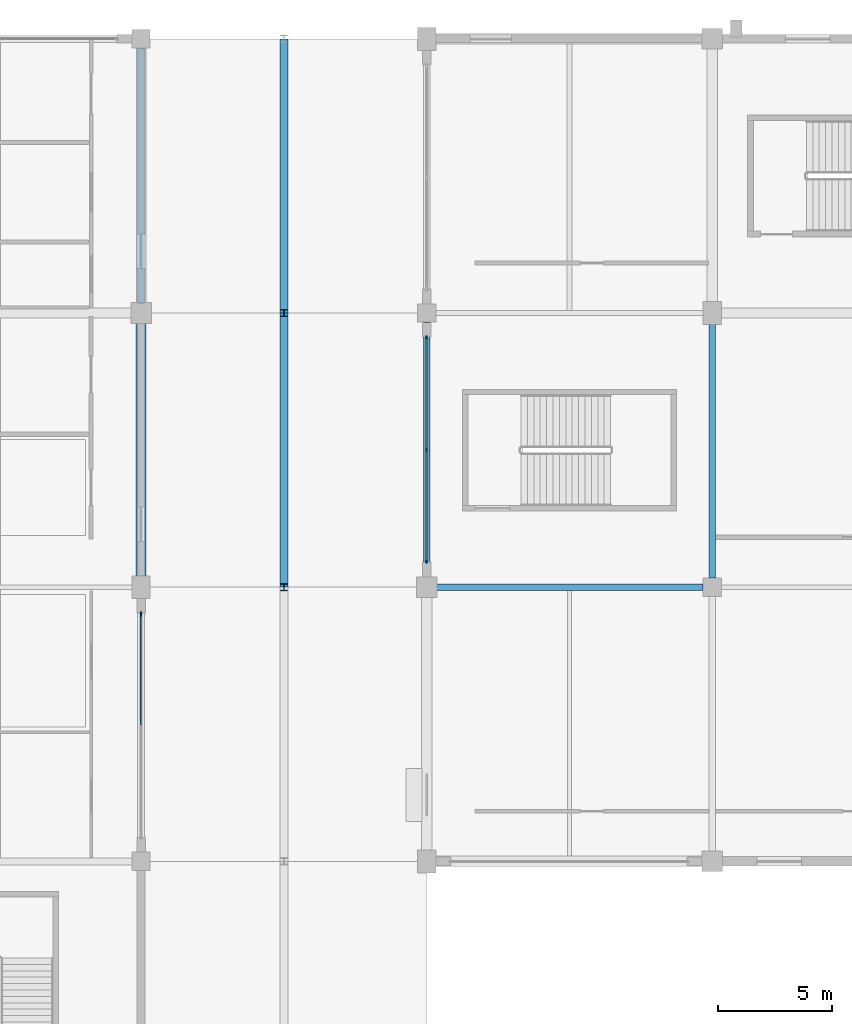
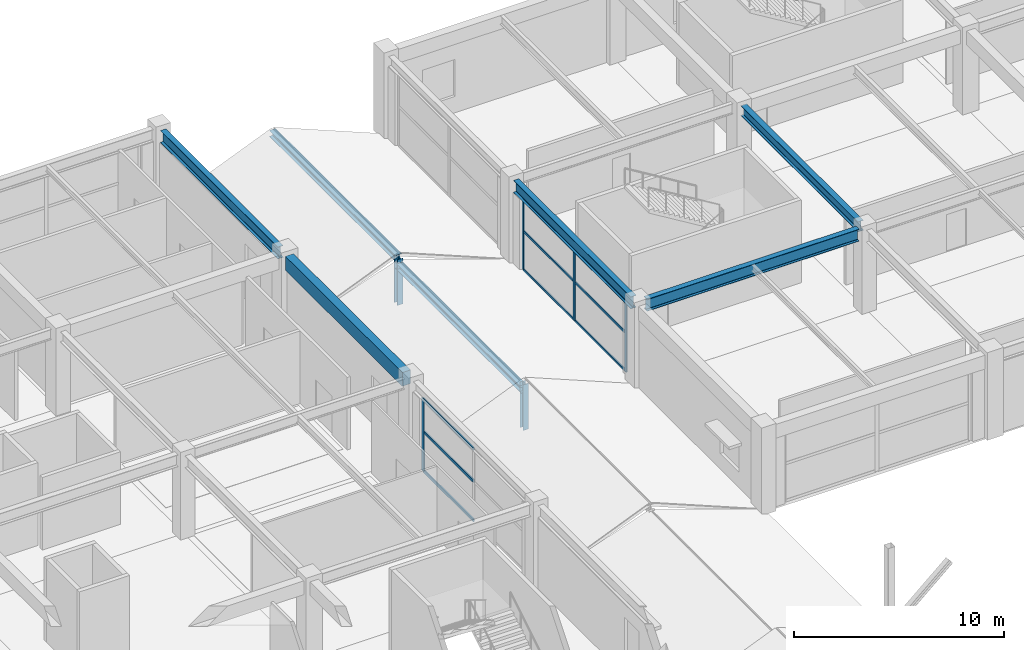
# One storey, part 47 of 116: 17 members, 5 beams, 2 elements without a shape of their own.
"""IFC4 building model written with IfcOpenShell, lengths in metres."""

from ifc_helpers import new_model, si_unit, direction, frame, origin, origin_2d, place, context, subcontext, project, spatial, rectangle, i_section, extrude, material, layer, layer_set, material_profile, profile_set, type_object, element, aggregate, save


model = new_model("IFC4")

# Units and contexts
model_context = context("Model", 3, precision=1e-05, world=origin(), true_north=direction((0.0, 1.0)))
body_context = subcontext(model_context, "Body", "Model", "MODEL_VIEW")
ifc_project = project(units=[si_unit("LENGTHUNIT", "METRE"), si_unit("AREAUNIT", "SQUARE_METRE"), si_unit("VOLUMEUNIT", "CUBIC_METRE"), si_unit("PLANEANGLEUNIT", "RADIAN"), si_unit("MASSUNIT", "GRAM", prefix="KILO")], contexts=[model_context])

# Site, building, storey
site_placement = place(None, origin())
site = spatial("IfcSite", under=ifc_project, at=site_placement, CompositionType="ELEMENT")
building_placement = place(site_placement, origin())
building = spatial("IfcBuilding", under=site, at=building_placement, Name="Kazenohara Klinker Stadium", CompositionType="ELEMENT")
storey_placement = place(building_placement, frame((0.0, 0.0, 10.199951171875)))
storey = spatial("IfcBuildingStorey", under=building, at=storey_placement, Name="L02", CompositionType="ELEMENT", Elevation=10.199951171875)

# Beams
ifc_material_1 = material(Name="Concrete C40/50", Category="concrete")
ifc_material_profile_1 = material_profile(ifc_material_1, rectangle(XDim=0.449951171875, YDim=0.800048828125, at=origin_2d()), Name="RC-BM-450x800")
ifc_profile_set_1 = profile_set([ifc_material_profile_1], Name="Concrete C40/50")
beam_type_1 = type_object("IfcBeamType", Name="BM-RC03", PredefinedType="BEAM", material=ifc_profile_set_1)
beam_1_placement = place(storey_placement, frame((36.5, 144.419921875, 4.420166015625), z_axis=(0.0, 1.0, 0.0), x_axis=(-1.0, 0.0, 0.0)))
element("IfcBeam", 1, at=beam_1_placement, inside=storey, type_object=beam_type_1, Name="Primary girder BG03 L02 4/N-P", PredefinedType="BEAM", context=body_context, shape_type="SweptSolid", body=[
    extrude(rectangle(XDim=0.449951171875, YDim=0.800048828125, at=origin_2d()), origin(), (0.0, 0.0, 1.0), 11.16015625),
])
ifc_material_2 = material(Name="Steel S355", Category="steel")
ifc_material_profile_2 = material_profile(ifc_material_2, i_section(OverallWidth=0.300048828125, OverallDepth=0.699951171875, WebThickness=0.012939453125, FlangeThickness=0.02392578125, FilletRadius=0.02197265625, at=origin_2d()), Name="H-700x300x13x24")
ifc_profile_set_2 = profile_set([ifc_material_profile_2], Name="Steel S355")
beam_type_2 = type_object("IfcBeamType", Name="BM-ST03", PredefinedType="BEAM", material=ifc_profile_set_2)
beam_2_placement = place(storey_placement, frame((49.419921875, 144.0, 4.469970703125), z_axis=(1.0, 0.0, 0.0), x_axis=(0.0, 1.0, 0.0)))
element("IfcBeam", 2, at=beam_2_placement, inside=storey, type_object=beam_type_2, Name="Primary girder SB03 L02 5-6/N", PredefinedType="BEAM", context=body_context, shape_type="SweptSolid", body=[
    extrude(i_section(OverallWidth=0.300048828125, OverallDepth=0.699951171875, WebThickness=0.012939453125, FlangeThickness=0.02392578125, FilletRadius=0.02197265625, at=origin_2d()), origin(), (0.0, 0.0, 1.0), 11.68017578125),
])
for number, where, z_axis, x_axis, name in (
    (3, (36.5, 156.419921875, 4.469970703125), (0.0, 1.0, 0.0), (-1.0, 0.0, 0.0), "Primary girder SB03 L02 4/P-Q"),
    (4, (49.0, 144.419921875, 4.469970703125), (0.0, 1.0, 0.0), (-1.0, 0.0, 0.0), "Primary girder SB03 L02 5/N-P"),
):
    element("IfcBeam", number, at=place(storey_placement, frame(where, z_axis=z_axis, x_axis=x_axis)), inside=storey, type_object=beam_type_2, Name=name, PredefinedType="BEAM", context=body_context, shape_type="SweptSolid", body=[
        extrude(i_section(OverallWidth=0.300048828125, OverallDepth=0.699951171875, WebThickness=0.012939453125, FlangeThickness=0.02392578125, FilletRadius=0.02197265625, at=origin_2d()), origin(), (0.0, 0.0, 1.0), 11.18017578125),
    ])
ifc_material_profile_3 = material_profile(ifc_material_2, i_section(OverallWidth=0.300048828125, OverallDepth=0.587890625, WebThickness=0.011962890625, FlangeThickness=0.02001953125, FilletRadius=0.02197265625, at=origin_2d()), Name="H-588x300x12x20")
ifc_profile_set_3 = profile_set([ifc_material_profile_3], Name="Steel S355")
beam_type_3 = type_object("IfcBeamType", Name="BM-ST05", PredefinedType="BEAM", material=ifc_profile_set_3)
beam_3_placement = place(storey_placement, frame((61.5, 144.39990234375, 4.526123046875), z_axis=(0.0, 1.0, 0.0), x_axis=(-1.0, 0.0, 0.0)))
element("IfcBeam", 5, at=beam_3_placement, inside=storey, type_object=beam_type_3, Name="Primary girder SB05 L02 6/N-P", PredefinedType="BEAM", context=body_context, shape_type="SweptSolid", body=[
    extrude(i_section(OverallWidth=0.300048828125, OverallDepth=0.587890625, WebThickness=0.011962890625, FlangeThickness=0.02001953125, FilletRadius=0.02197265625, at=origin_2d()), origin(), (0.0, 0.0, 1.0), 11.18017578125),
])

# Curtain wall, members
ifc_material_3 = material(Name="Anodised aluminium and triple glazing", Category="aluminium")
ifc_layer = layer(ifc_material_3, 0.18994140625)
ifc_layer_set = layer_set([ifc_layer], Name="Anodised aluminium and triple glazing")
curtain_wall_type = type_object("IfcCurtainWallType", Name="CW-SYS-05", PredefinedType="USERDEFINED", material=ifc_layer_set)
curtain_wall_1_placement = place(storey_placement, origin())
curtain_wall_1 = element("IfcCurtainWall", 6, at=curtain_wall_1_placement, inside=storey, type_object=curtain_wall_type, Name="Unitised facade curtain wall CW05 L02 Y4-12", ObjectType="UNITISED CURTAIN WALL", PredefinedType="USERDEFINED")
ifc_material_4 = material(Name="Anodised aluminium 6063-T6", Category="aluminium")
ifc_material_profile_4 = material_profile(ifc_material_4, rectangle(XDim=0.06494140625, YDim=0.179931640625, at=origin_2d()), Name="ALU-MUL-65x180")
ifc_profile_set_4 = profile_set([ifc_material_profile_4], Name="Anodised aluminium 6063-T6")
member_type_1 = type_object("IfcMemberType", Name="CW-MUL-180", PredefinedType="MULLION", material=ifc_profile_set_4)
member_1_placement = place(storey_placement, frame((49.0, 145.136474609375, 0.0), z_axis=(0.0, 0.0, 1.0), x_axis=(-1.0, 0.0, 0.0)))
member_1 = element("IfcMember", 7, at=member_1_placement, type_object=member_type_1, Name="CW05 mullion 1", PredefinedType="MULLION", context=body_context, shape_type="SweptSolid", body=[
    extrude(rectangle(XDim=0.06494140625, YDim=0.179931640625, at=origin_2d()), origin(), (0.0, 0.0, 1.0), 4.1201171875),
])
member_2_placement = place(storey_placement, frame((49.0, 150.02490234375, 0.0), z_axis=(0.0, 0.0, 1.0), x_axis=(-1.0, 0.0, 0.0)))
member_2 = element("IfcMember", 8, at=member_2_placement, type_object=member_type_1, Name="CW05 mullion 2", PredefinedType="MULLION", context=body_context, shape_type="SweptSolid", body=[
    extrude(rectangle(XDim=0.06494140625, YDim=0.179931640625, at=origin_2d()), origin(), (0.0, 0.0, 1.0), 4.1201171875),
])
member_3_placement = place(storey_placement, frame((49.0, 154.91357421875, 0.0), z_axis=(0.0, 0.0, 1.0), x_axis=(-1.0, 0.0, 0.0)))
member_3 = element("IfcMember", 9, at=member_3_placement, type_object=member_type_1, Name="CW05 mullion 3", PredefinedType="MULLION", context=body_context, shape_type="SweptSolid", body=[
    extrude(rectangle(XDim=0.06494140625, YDim=0.179931640625, at=origin_2d()), origin(), (0.0, 0.0, 1.0), 4.1201171875),
])

# Curtain wall, member
curtain_wall_2_placement = place(storey_placement, origin())
curtain_wall_2 = element("IfcCurtainWall", 10, at=curtain_wall_2_placement, inside=storey, type_object=curtain_wall_type, Name="Unitised facade curtain wall CW05 L02 Y3-11", ObjectType="UNITISED CURTAIN WALL", PredefinedType="USERDEFINED")
ifc_material_profile_5 = material_profile(ifc_material_4, rectangle(XDim=0.074951171875, YDim=0.219970703125, at=origin_2d()), Name="ALU-MUL-75x220")
ifc_profile_set_5 = profile_set([ifc_material_profile_5], Name="Anodised aluminium 6063-T6")
member_type_2 = type_object("IfcMemberType", Name="CW-MUL-220", PredefinedType="MULLION", material=ifc_profile_set_5)
member_4_placement = place(storey_placement, frame((36.5, 142.80859375, 0.0), z_axis=(0.0, 0.0, 1.0), x_axis=(-1.0, 0.0, 0.0)))
member_4 = element("IfcMember", 11, at=member_4_placement, type_object=member_type_2, Name="CW05 mullion 3", PredefinedType="MULLION", context=body_context, shape_type="SweptSolid", body=[
    extrude(rectangle(XDim=0.074951171875, YDim=0.219970703125, at=origin_2d()), origin(), (0.0, 0.0, 1.0), 4.23193359375),
])

# Member
ifc_material_profile_6 = material_profile(ifc_material_4, rectangle(XDim=0.06494140625, YDim=0.139892578125, at=origin_2d()), Name="ALU-TRN-65x140")
ifc_profile_set_6 = profile_set([ifc_material_profile_6], Name="Anodised aluminium 6063-T6")
member_type_3 = type_object("IfcMemberType", Name="CW-TRN-140", PredefinedType="USERDEFINED", material=ifc_profile_set_6)
member_5_placement = place(storey_placement, frame((49.0, 145.1689453125, 0.032470703125), z_axis=(0.0, 1.0, 0.0), x_axis=(-1.0, 0.0, 0.0)))
member_5 = element("IfcMember", 12, at=member_5_placement, type_object=member_type_3, Name="CW05 transom 1.1", ObjectType="TRANSOM", PredefinedType="USERDEFINED", context=body_context, shape_type="SweptSolid", body=[
    extrude(rectangle(XDim=0.06494140625, YDim=0.139892578125, at=origin_2d()), origin(), (0.0, 0.0, 1.0), 4.823486328125),
])

member_6_placement = place(storey_placement, frame((49.0, 145.1689453125, 2.26611328125), z_axis=(0.0, 1.0, 0.0), x_axis=(-1.0, 0.0, 0.0)))
member_6 = element("IfcMember", 13, at=member_6_placement, type_object=member_type_3, Name="CW05 transom 1.2", ObjectType="TRANSOM", PredefinedType="USERDEFINED", context=body_context, shape_type="SweptSolid", body=[
    extrude(rectangle(XDim=0.06494140625, YDim=0.139892578125, at=origin_2d()), origin(), (0.0, 0.0, 1.0), 4.823486328125),
])

member_7_placement = place(storey_placement, frame((49.0, 145.1689453125, 4.087646484375), z_axis=(0.0, 1.0, 0.0), x_axis=(-1.0, 0.0, 0.0)))
member_7 = element("IfcMember", 14, at=member_7_placement, type_object=member_type_3, Name="CW05 transom 1.3", ObjectType="TRANSOM", PredefinedType="USERDEFINED", context=body_context, shape_type="SweptSolid", body=[
    extrude(rectangle(XDim=0.06494140625, YDim=0.139892578125, at=origin_2d()), origin(), (0.0, 0.0, 1.0), 4.823486328125),
])

member_8_placement = place(storey_placement, frame((49.0, 150.0576171875, 0.032470703125), z_axis=(0.0, 1.0, 0.0), x_axis=(-1.0, 0.0, 0.0)))
member_8 = element("IfcMember", 15, at=member_8_placement, type_object=member_type_3, Name="CW05 transom 2.1", ObjectType="TRANSOM", PredefinedType="USERDEFINED", context=body_context, shape_type="SweptSolid", body=[
    extrude(rectangle(XDim=0.06494140625, YDim=0.139892578125, at=origin_2d()), origin(), (0.0, 0.0, 1.0), 4.823486328125),
])

member_9_placement = place(storey_placement, frame((49.0, 150.0576171875, 2.26611328125), z_axis=(0.0, 1.0, 0.0), x_axis=(-1.0, 0.0, 0.0)))
member_9 = element("IfcMember", 16, at=member_9_placement, type_object=member_type_3, Name="CW05 transom 2.2", ObjectType="TRANSOM", PredefinedType="USERDEFINED", context=body_context, shape_type="SweptSolid", body=[
    extrude(rectangle(XDim=0.06494140625, YDim=0.139892578125, at=origin_2d()), origin(), (0.0, 0.0, 1.0), 4.823486328125),
])

member_10_placement = place(storey_placement, frame((49.0, 150.0576171875, 4.087646484375), z_axis=(0.0, 1.0, 0.0), x_axis=(-1.0, 0.0, 0.0)))
member_10 = element("IfcMember", 17, at=member_10_placement, type_object=member_type_3, Name="CW05 transom 2.3", ObjectType="TRANSOM", PredefinedType="USERDEFINED", context=body_context, shape_type="SweptSolid", body=[
    extrude(rectangle(XDim=0.06494140625, YDim=0.139892578125, at=origin_2d()), origin(), (0.0, 0.0, 1.0), 4.823486328125),
])

aggregate(curtain_wall_1, [member_1, member_2, member_3, member_5, member_6, member_7, member_8, member_9, member_10])

ifc_material_profile_7 = material_profile(ifc_material_4, rectangle(XDim=0.074951171875, YDim=0.159912109375, at=origin_2d()), Name="ALU-TRN-75x160")
ifc_profile_set_7 = profile_set([ifc_material_profile_7], Name="Anodised aluminium 6063-T6")
member_type_4 = type_object("IfcMemberType", Name="CW-TRN-160", PredefinedType="USERDEFINED", material=ifc_profile_set_7)
member_11_placement = place(storey_placement, frame((36.5, 137.987548828125, 0.03759765625), z_axis=(0.0, 1.0, 0.0), x_axis=(-1.0, 0.0, 0.0)))
member_11 = element("IfcMember", 18, at=member_11_placement, type_object=member_type_4, Name="CW05 transom 2.1", ObjectType="TRANSOM", PredefinedType="USERDEFINED", context=body_context, shape_type="SweptSolid", body=[
    extrude(rectangle(XDim=0.074951171875, YDim=0.159912109375, at=origin_2d()), origin(), (0.0, 0.0, 1.0), 4.783447265625),
])

member_12_placement = place(storey_placement, frame((36.5, 137.987548828125, 2.32763671875), z_axis=(0.0, 1.0, 0.0), x_axis=(-1.0, 0.0, 0.0)))
member_12 = element("IfcMember", 19, at=member_12_placement, type_object=member_type_4, Name="CW05 transom 2.2", ObjectType="TRANSOM", PredefinedType="USERDEFINED", context=body_context, shape_type="SweptSolid", body=[
    extrude(rectangle(XDim=0.074951171875, YDim=0.159912109375, at=origin_2d()), origin(), (0.0, 0.0, 1.0), 4.783447265625),
])

member_13_placement = place(storey_placement, frame((36.5, 137.987548828125, 4.194580078125), z_axis=(0.0, 1.0, 0.0), x_axis=(-1.0, 0.0, 0.0)))
member_13 = element("IfcMember", 20, at=member_13_placement, type_object=member_type_4, Name="CW05 transom 2.3", ObjectType="TRANSOM", PredefinedType="USERDEFINED", context=body_context, shape_type="SweptSolid", body=[
    extrude(rectangle(XDim=0.074951171875, YDim=0.159912109375, at=origin_2d()), origin(), (0.0, 0.0, 1.0), 4.783447265625),
])

aggregate(curtain_wall_2, [member_4, member_11, member_12, member_13])

# Members
ifc_material_profile_8 = material_profile(ifc_material_2, i_section(OverallWidth=0.35009765625, OverallDepth=0.35009765625, WebThickness=0.011962890625, FlangeThickness=0.01904296875, FilletRadius=0.012939453125, at=origin_2d()), Name="H-350x350x12x19")
ifc_profile_set_8 = profile_set([ifc_material_profile_8], Name="Steel S355")
member_type_5 = type_object("IfcMemberType", Name="MEM-CHD02", PredefinedType="CHORD", material=ifc_profile_set_8)
for number, where, z_axis, x_axis, name in (
    (21, (42.75, 144.0, 1.830078125), (0.0, 1.0, 0.0), (-1.0, 0.0, 0.0), "Stepped pavilion gable ridge beam L02 4/N"),
    (22, (42.75, 156.0, 2.22998046875), (0.0, 1.0, 0.0), (-1.0, 0.0, 0.0), "Stepped pavilion gable ridge beam L02 4/P"),
):
    element("IfcMember", number, at=place(storey_placement, frame(where, z_axis=z_axis, x_axis=x_axis)), inside=storey, type_object=member_type_5, Name=name, PredefinedType="CHORD", context=body_context, shape_type="SweptSolid", body=[
        extrude(i_section(OverallWidth=0.35009765625, OverallDepth=0.35009765625, WebThickness=0.011962890625, FlangeThickness=0.01904296875, FilletRadius=0.012939453125, at=origin_2d()), origin(), (0.0, 0.0, 1.0), 12.0),
    ])
ifc_material_profile_9 = material_profile(ifc_material_2, i_section(OverallWidth=0.300048828125, OverallDepth=0.300048828125, WebThickness=0.010009765625, FlangeThickness=0.014892578125, FilletRadius=0.012939453125, at=origin_2d()), Name="H-300x300x10x15")
ifc_profile_set_9 = profile_set([ifc_material_profile_9], Name="Steel S355")
member_type_6 = type_object("IfcMemberType", Name="MEM-STR01", PredefinedType="STRUT", material=ifc_profile_set_9)
for number, where, z_axis, x_axis, name in (
    (23, (42.75, 144.0, -0.429931640625), (0.0, 0.0, 1.0), (1.0, 0.0, 0.0), "Stepped pavilion gable king-post L02 4/M N"),
    (24, (42.75, 156.0, -0.429931640625), (0.0, 0.0, 1.0), (1.0, 0.0, 0.0), "Stepped pavilion gable king-post L02 4/P S"),
):
    element("IfcMember", number, at=place(storey_placement, frame(where, z_axis=z_axis, x_axis=x_axis)), inside=storey, type_object=member_type_6, Name=name, PredefinedType="STRUT", context=body_context, shape_type="SweptSolid", body=[
        extrude(i_section(OverallWidth=0.300048828125, OverallDepth=0.300048828125, WebThickness=0.010009765625, FlangeThickness=0.014892578125, FilletRadius=0.012939453125, at=origin_2d()), origin(), (0.0, 0.0, 1.0), 2.659912109375),
    ])

save(model, "model.ifc")
